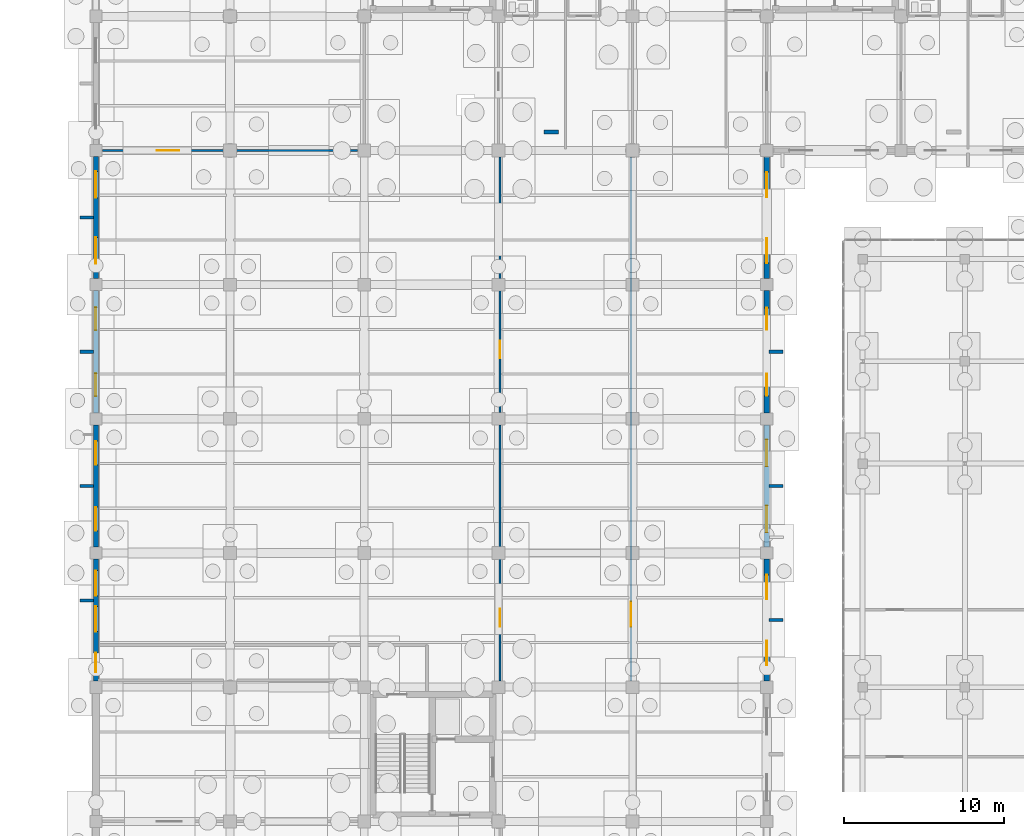
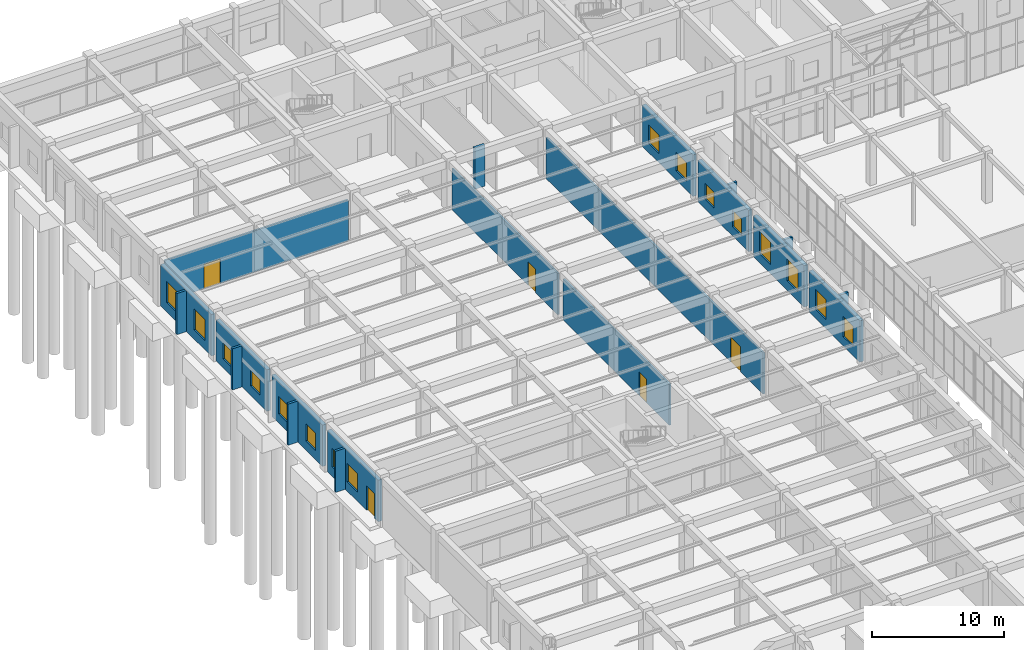
# One storey, part 160 of 192: 20 walls, 16 windows, 5 doors, 21 openings.
"""IFC4 building model written with IfcOpenShell, lengths in metres."""

import ifcopenshell
import ifcopenshell.guid

model = None  # the IFC model being written
_history = None  # IfcOwnerHistory: only IFC2X3 demands one
_inside = {}  # id of a spatial element -> (the spatial element, [elements in it])
_under = {}  # id of a project, library or spatial element -> (it, [spatial elements below it])
_declared = {}  # id of a project -> (the project, [libraries it declares])
_typed = {}  # id of a type object -> (the type object, [elements of that type])
_made_of = {}  # id of a material, layer set ... -> (it, [elements and type objects made of it])


def new_model(schema):
    """Start an empty IFC model of exactly this schema.

    Asked for "IFC4X3", IfcOpenShell would pick the latest addendum, in which some entities
    have other attributes; the version numbers below select the first issue.
    IFC2X3 requires an IfcOwnerHistory on every rooted entity: one is made here for all.
    """
    global model, _history
    if schema == "IFC4X3":
        model = ifcopenshell.file(schema_version=(4, 3, 0, 0))
    else:
        model = ifcopenshell.file(schema=schema)
    _inside.clear()
    _under.clear()
    _declared.clear()
    _typed.clear()
    _made_of.clear()
    _history = None
    if model.schema == "IFC2X3":
        org = make("IfcOrganization", Name="unknown")
        user = make(
            "IfcPersonAndOrganization",
            ThePerson=make("IfcPerson", FamilyName="unknown"),
            TheOrganization=org,
        )
        app = make(
            "IfcApplication",
            ApplicationDeveloper=org,
            Version="unknown",
            ApplicationFullName="unknown",
            ApplicationIdentifier="unknown",
        )
        _history = make(
            "IfcOwnerHistory",
            OwningUser=user,
            OwningApplication=app,
            ChangeAction="ADDED",
            CreationDate=0,
        )
    return model


def make(cls, **values):
    """One entity of the class cls with the attributes given. An attribute that is None is left unset."""
    return model.create_entity(
        cls, **{name: value for name, value in values.items() if value is not None}
    )


def rooted(cls, **values):
    """An entity with a GlobalId (a new one), such as an element, a storey or a relation."""
    return make(cls, GlobalId=ifcopenshell.guid.new(), OwnerHistory=_history, **values)


def si_unit(unit_type, name, prefix=None):
    """IfcSIUnit, for example si_unit("LENGTHUNIT", "METRE", prefix="MILLI")."""
    return make("IfcSIUnit", UnitType=unit_type, Prefix=prefix, Name=name)


def assignment(units):
    """IfcUnitAssignment: the units of a project."""
    return None if units is None else make("IfcUnitAssignment", Units=units)


def point(xyz):
    """IfcCartesianPoint."""
    return None if xyz is None else make("IfcCartesianPoint", Coordinates=xyz)


def direction(xyz):
    """IfcDirection."""
    return None if xyz is None else make("IfcDirection", DirectionRatios=xyz)


def frame(location, z_axis=None, x_axis=None):
    """IfcAxis2Placement3D, a coordinate frame: its origin and axes. An axis left out is left unset."""
    return make(
        "IfcAxis2Placement3D",
        Location=point(location),
        Axis=direction(z_axis),
        RefDirection=direction(x_axis),
    )


def frame_2d(location, x_axis=None):
    """IfcAxis2Placement2D, a coordinate frame in the plane: its origin and x axis."""
    return make(
        "IfcAxis2Placement2D", Location=point(location), RefDirection=direction(x_axis)
    )


def origin():
    """The frame at (0, 0, 0) with its axes left unset."""
    return frame((0.0, 0.0, 0.0))


def place(relative_to, where):
    """IfcLocalPlacement: puts the frame where relative to a parent placement (None: the world)."""
    return make(
        "IfcLocalPlacement", PlacementRelTo=relative_to, RelativePlacement=where
    )


def context(
    kind, dimensions, precision=None, world=None, true_north=None, identifier=None
):
    """IfcGeometricRepresentationContext, for example the 3D "Model" context."""
    return make(
        "IfcGeometricRepresentationContext",
        ContextIdentifier=identifier,
        ContextType=kind,
        CoordinateSpaceDimension=dimensions,
        Precision=precision,
        WorldCoordinateSystem=world,
        TrueNorth=true_north,
    )


def subcontext(parent, identifier, kind, view, scale=None):
    """IfcGeometricRepresentationSubContext, for example "Body" below "Model"."""
    return make(
        "IfcGeometricRepresentationSubContext",
        ContextIdentifier=identifier,
        ContextType=kind,
        ParentContext=parent,
        TargetScale=scale,
        TargetView=view,
    )


def project(units=None, contexts=None):
    """IfcProject with its units and contexts."""
    return rooted(
        "IfcProject",
        Name="project",
        RepresentationContexts=contexts,
        UnitsInContext=assignment(units),
    )


def spatial(cls, under=None, at=None, **own):
    """A site, building, storey or space (cls), placed at a placement, below another one or the project."""
    s = rooted(cls, ObjectPlacement=at, **own)
    if under is not None:
        _under.setdefault(under.id(), (under, []))[1].append(s)
    return s


def profile(cls, at=None, kind="AREA", **sizes):
    """A parametric profile (cls). Its sizes go by their IFC names, for example OverallWidth=200.0."""
    return make(cls, ProfileType=kind, Position=at, **sizes)


def rectangle(**sizes):
    """IfcRectangleProfileDef."""
    return profile("IfcRectangleProfileDef", **sizes)


def extrude(swept, where, along, depth):
    """IfcExtrudedAreaSolid: the profile swept, set in the frame where, extruded along a direction by depth."""
    return make(
        "IfcExtrudedAreaSolid",
        SweptArea=swept,
        Position=where,
        ExtrudedDirection=direction(along),
        Depth=depth,
    )


def shape(context_of_items, identifier, shape_type, items):
    """IfcShapeRepresentation: the items that make up one representation, for example the "Body"."""
    return make(
        "IfcShapeRepresentation",
        ContextOfItems=context_of_items,
        RepresentationIdentifier=identifier,
        RepresentationType=shape_type,
        Items=items,
    )


def material(Name=None, Category=None):
    """IfcMaterial."""
    return make("IfcMaterial", Name=Name, Category=Category)


def layer(
    of_material, thickness, ventilated=None, Name=None, Category=None, Priority=None
):
    """IfcMaterialLayer: one layer of a wall or slab, of a material (None: an air gap)."""
    return make(
        "IfcMaterialLayer",
        Material=of_material,
        LayerThickness=thickness,
        IsVentilated=ventilated,
        Name=Name,
        Category=Category,
        Priority=Priority,
    )


def layer_set(layers, Name=None):
    """IfcMaterialLayerSet."""
    return make("IfcMaterialLayerSet", MaterialLayers=layers, LayerSetName=Name)


def made_of(thing, what):
    """Note that an element or type object is made of a material, layer set ...; save() writes the relation."""
    if what is not None:
        _made_of.setdefault(what.id(), (what, []))[1].append(thing)
    return thing


def type_object(cls, material=None, **own):
    """A type object (cls), such as IfcWallType, which elements share."""
    return made_of(rooted(cls, **own), material)


def element(
    cls,
    number,
    at=None,
    inside=None,
    cuts=None,
    type_object=None,
    material=None,
    context=None,
    identifier="Body",
    shape_type=None,
    held_by="IfcProductDefinitionShape",
    body=None,
    shapes=None,
    **own,
):
    """One element of the class cls, such as IfcWall. Its Tag is "e" and its number.

    at: its placement. inside: the storey or other place that contains it. cuts: it is an
    opening in that element (IfcRelVoidsElement). A single representation is given by context,
    identifier, shape_type and body (its items); several are given by shapes. held_by: the class
    of the entity that holds the representations. save() writes the other relations.
    """
    e = rooted(cls, Tag="e%d" % number, ObjectPlacement=at, **own)
    if body is not None:
        shapes = [shape(context, identifier, shape_type, body)]
    if shapes is not None:
        e.Representation = make(held_by, Representations=shapes)
    if inside is not None:
        _inside.setdefault(inside.id(), (inside, []))[1].append(e)
    if cuts is not None:
        rooted(
            "IfcRelVoidsElement", RelatingBuildingElement=cuts, RelatedOpeningElement=e
        )
    if type_object is not None:
        _typed.setdefault(type_object.id(), (type_object, []))[1].append(e)
    return made_of(e, material)


def fill(opening, filler):
    """IfcRelFillsElement: the door or window that sits in an opening."""
    return rooted(
        "IfcRelFillsElement",
        RelatingOpeningElement=opening,
        RelatedBuildingElement=filler,
    )


def aggregate(whole, parts):
    """IfcRelAggregates: a whole, such as a stair, and the parts it consists of."""
    return rooted("IfcRelAggregates", RelatingObject=whole, RelatedObjects=parts)


def save(model, path):
    """Write the relations noted so far, then the file.

    IfcRelAggregates (storeys below a building ...), IfcRelContainedInSpatialStructure (elements
    in a storey), IfcRelDefinesByType, IfcRelAssociatesMaterial and IfcRelDeclares: one each for
    every whole, place, type object, material and project.
    """
    for whole, parts in _under.values():
        aggregate(whole, parts)
    for where, things in _inside.values():
        rooted(
            "IfcRelContainedInSpatialStructure",
            RelatedElements=things,
            RelatingStructure=where,
        )
    for kind, things in _typed.values():
        rooted("IfcRelDefinesByType", RelatedObjects=things, RelatingType=kind)
    for what, things in _made_of.values():
        rooted("IfcRelAssociatesMaterial", RelatedObjects=things, RelatingMaterial=what)
    for by, libraries in _declared.values():
        rooted("IfcRelDeclares", RelatingContext=by, RelatedDefinitions=libraries)
    model.write(path)


model = new_model("IFC4")

# Units and contexts
model_context = context("Model", 3, precision=1e-05, world=origin(), true_north=direction((0.0, 1.0)))
body_context = subcontext(model_context, "Body", "Model", "MODEL_VIEW")
ifc_project = project(units=[si_unit("LENGTHUNIT", "METRE"), si_unit("AREAUNIT", "SQUARE_METRE"), si_unit("VOLUMEUNIT", "CUBIC_METRE"), si_unit("PLANEANGLEUNIT", "RADIAN"), si_unit("MASSUNIT", "GRAM", prefix="KILO")], contexts=[model_context])

# Site, building, storey
site_placement = place(None, origin())
site = spatial("IfcSite", under=ifc_project, at=site_placement, CompositionType="ELEMENT")
building_placement = place(site_placement, origin())
building = spatial("IfcBuilding", under=site, at=building_placement, Name="Trelvath General Hospital", CompositionType="ELEMENT")
storey_placement = place(building_placement, origin())
storey = spatial("IfcBuildingStorey", under=building, at=storey_placement, Name="L00", CompositionType="ELEMENT", Elevation=0.0)

# Walls
ifc_material_1 = material(Name="Precast concrete C40/50", Category="concrete")
ifc_layer_1 = layer(ifc_material_1, 0.199951171875)
ifc_layer_set_1 = layer_set([ifc_layer_1], Name="Precast concrete C40/50")
wall_type_1 = type_object("IfcWallType", Name="BriseSoleilRib 200", PredefinedType="ELEMENTEDWALL", material=ifc_layer_set_1)
for number, where, z_axis, x_axis, name in (
    (1, (-0.14990234375, 64.22509765625, 0.0), (0.0, 0.0, 1.0), (-1.0, 0.0, 0.0), "Precast Concrete Brise-Soleil Rib Fin L00-5"),
    (2, (-0.14990234375, 71.39990234375, 0.0), (0.0, 0.0, 1.0), (-1.0, 0.0, 0.0), "Precast Concrete Brise-Soleil Rib Fin L00-6"),
    (3, (-0.14990234375, 79.800048828125, 0.0), (0.0, 0.0, 1.0), (-1.0, 0.0, 0.0), "Precast Concrete Brise-Soleil Rib Fin L00-7"),
    (4, (-0.14990234375, 88.199951171875, 0.0), (0.0, 0.0, 1.0), (-1.0, 0.0, 0.0), "Precast Concrete Brise-Soleil Rib Fin L00-8"),
    (5, (42.14990234375, 63.0, 0.0), (0.0, 0.0, 1.0), (1.0, 0.0, 0.0), "Precast Concrete Brise-Soleil Rib Fin L00-18"),
    (6, (42.14990234375, 71.39990234375, 0.0), (0.0, 0.0, 1.0), (1.0, 0.0, 0.0), "Precast Concrete Brise-Soleil Rib Fin L00-19"),
    (7, (42.14990234375, 79.800048828125, 0.0), (0.0, 0.0, 1.0), (1.0, 0.0, 0.0), "Precast Concrete Brise-Soleil Rib Fin L00-20"),
):
    element("IfcWall", number, at=place(storey_placement, frame(where, z_axis=z_axis, x_axis=x_axis)), inside=storey, type_object=wall_type_1, Name=name, PredefinedType="ELEMENTEDWALL", context=body_context, shape_type="SweptSolid", body=[
        extrude(rectangle(XDim=0.85009765625, YDim=0.199951171875, at=frame_2d((0.425048828125, 0.0))), origin(), (0.0, 0.0, 1.0), 3.800048828125),
    ])

# Wall, opening, door
ifc_material_2 = material(Name="Gypsum acoustic steel-stud partition", Category="steel")
ifc_layer_2 = layer(ifc_material_2, 0.14990234375)
ifc_layer_set_2 = layer_set([ifc_layer_2], Name="Gypsum acoustic steel-stud partition")
wall_type_2 = type_object("IfcWallType", Name="ClinicalPartition 150", PredefinedType="PARTITIONING", material=ifc_layer_set_2)
wall_1_placement = place(storey_placement, frame((25.300048828125, 59.199951171875, 0.0), z_axis=(0.0, 0.0, 1.0), x_axis=(0.0, 1.0, 0.0)))
wall_1 = element("IfcWall", 8, at=wall_1_placement, inside=storey, type_object=wall_type_2, Name="Urgent Lab Partition L00-323", PredefinedType="PARTITIONING", context=body_context, shape_type="SweptSolid", body=[
    extrude(rectangle(XDim=16.0, YDim=0.14990234375, at=frame_2d((8.0, 0.0))), origin(), (0.0, 0.0, 1.0), 3.800048828125),
])
opening_1_placement = place(wall_1_placement, frame((3.39990234375, 0.0, 0.0)))
opening_1 = element("IfcOpeningElement", 9, at=opening_1_placement, cuts=wall_1, Name="Opening D-0-0442", PredefinedType="OPENING", context=body_context, shape_type="SweptSolid", body=[
    extrude(rectangle(XDim=1.10009765625, YDim=2.199951171875, at=frame_2d((0.550048828125, 1.10009765625))), frame((0.0, 0.0849609375, 0.0), z_axis=(0.0, -1.0, 0.0), x_axis=(1.0, 0.0, 0.0)), (0.0, 0.0, 1.0), 0.169921875),
])
ifc_material_3 = material(Name="Phenolic laboratory door")
door_type_1 = type_object("IfcDoorType", Name="Door Lab 1100x2200", OperationType="NOTDEFINED", PredefinedType="DOOR", material=ifc_material_3)
door_1_placement = place(opening_1_placement, origin())
door_1 = element("IfcDoor", 10, at=door_1_placement, inside=storey, type_object=door_type_1, Name="Urgent Lab Door L00-442", OperationType="SINGLE_SWING_RIGHT", OverallHeight=2.199951171875, OverallWidth=1.10009765625, PredefinedType="DOOR", context=body_context, shape_type="SweptSolid", body=[
    extrude(rectangle(XDim=1.10009765625, YDim=2.199951171875, at=frame_2d((0.550048828125, 1.10009765625))), frame((0.0, 0.02490234375, 0.0), z_axis=(0.0, -1.0, 0.0), x_axis=(1.0, 0.0, 0.0)), (0.0, 0.0, 1.0), 0.050048828125),
])
fill(opening_1, door_1)

wall_2_placement = place(storey_placement, frame((25.300048828125, 76.0, 0.0), z_axis=(0.0, 0.0, 1.0), x_axis=(0.0, 1.0, 0.0)))
wall_2 = element("IfcWall", 11, at=wall_2_placement, inside=storey, type_object=wall_type_2, Name="Sterile Wash Partition L00-324", PredefinedType="PARTITIONING", context=body_context, shape_type="SweptSolid", body=[
    extrude(rectangle(XDim=16.0, YDim=0.14990234375, at=frame_2d((8.0, 0.0))), origin(), (0.0, 0.0, 1.0), 3.800048828125),
])
opening_2_placement = place(wall_2_placement, frame((3.39990234375, 0.0, 0.0)))
opening_2 = element("IfcOpeningElement", 12, at=opening_2_placement, cuts=wall_2, Name="Opening D-0-0443", PredefinedType="OPENING", context=body_context, shape_type="SweptSolid", body=[
    extrude(rectangle(XDim=1.080078125, YDim=2.14990234375, at=frame_2d((0.5400390625, 1.074951171875))), frame((0.0, 0.0849609375, 0.0), z_axis=(0.0, -1.0, 0.0), x_axis=(1.0, 0.0, 0.0)), (0.0, 0.0, 1.0), 0.169921875),
])
ifc_material_4 = material(Name="Acoustic hospital timber leaf", Category="wood")
door_type_2 = type_object("IfcDoorType", Name="Door CleanSupply 1080x2150", OperationType="NOTDEFINED", PredefinedType="DOOR", material=ifc_material_4)
door_2_placement = place(opening_2_placement, origin())
door_2 = element("IfcDoor", 13, at=door_2_placement, inside=storey, type_object=door_type_2, Name="Sterile Wash Door L00-443", OperationType="SINGLE_SWING_LEFT", OverallHeight=2.14990234375, OverallWidth=1.080078125, PredefinedType="DOOR", context=body_context, shape_type="SweptSolid", body=[
    extrude(rectangle(XDim=1.080078125, YDim=2.14990234375, at=frame_2d((0.5400390625, 1.074951171875))), frame((0.0, 0.02490234375, 0.0), z_axis=(0.0, -1.0, 0.0), x_axis=(1.0, 0.0, 0.0)), (0.0, 0.0, 1.0), 0.050048828125),
])
fill(opening_2, door_2)

wall_3_placement = place(storey_placement, frame((0.419921875, 92.39990234375, 0.0), z_axis=(0.0, 0.0, 1.0), x_axis=(1.0, 0.0, 0.0)))
wall_3 = element("IfcWall", 14, at=wall_3_placement, inside=storey, type_object=wall_type_2, Name="Sterile Dispatch Partition L00-325", PredefinedType="PARTITIONING", context=body_context, shape_type="SweptSolid", body=[
    extrude(rectangle(XDim=15.9599609375, YDim=0.14990234375, at=frame_2d((7.97998046875, 0.0))), origin(), (0.0, 0.0, 1.0), 3.800048828125),
])
opening_3_placement = place(wall_3_placement, frame((3.39990234375, 0.0, 0.0)))
opening_3 = element("IfcOpeningElement", 15, at=opening_3_placement, cuts=wall_3, Name="Opening D-0-0444", PredefinedType="OPENING", context=body_context, shape_type="SweptSolid", body=[
    extrude(rectangle(XDim=1.39990234375, YDim=2.25, at=frame_2d((0.699951171875, 1.125))), frame((0.0, 0.0849609375, 0.0), z_axis=(0.0, -1.0, 0.0), x_axis=(1.0, 0.0, 0.0)), (0.0, 0.0, 1.0), 0.169921875),
])
ifc_material_5 = material(Name="Fire-rated steel plant pair", Category="steel")
door_type_3 = type_object("IfcDoorType", Name="Door Plant 1400x2250", OperationType="DOUBLE_SWING_LEFT", PredefinedType="DOOR", material=ifc_material_5)
door_3_placement = place(opening_3_placement, origin())
door_3 = element("IfcDoor", 16, at=door_3_placement, inside=storey, type_object=door_type_3, Name="Sterile Dispatch Door L00-444", OperationType="DOUBLE_SWING_LEFT", OverallHeight=2.25, OverallWidth=1.39990234375, PredefinedType="DOOR", context=body_context, shape_type="SweptSolid", body=[
    extrude(rectangle(XDim=1.39990234375, YDim=2.25, at=frame_2d((0.699951171875, 1.125))), frame((0.0, 0.02490234375, 0.0), z_axis=(0.0, -1.0, 0.0), x_axis=(1.0, 0.0, 0.0)), (0.0, 0.0, 1.0), 0.050048828125),
])
fill(opening_3, door_3)

wall_4_placement = place(storey_placement, frame((33.5, 59.199951171875, 0.0), z_axis=(0.0, 0.0, 1.0), x_axis=(0.0, 1.0, 0.0)))
wall_4 = element("IfcWall", 17, at=wall_4_placement, inside=storey, type_object=wall_type_2, Name="Nuclear Med Partition L00-327", PredefinedType="PARTITIONING", context=body_context, shape_type="SweptSolid", body=[
    extrude(rectangle(XDim=32.800048828125, YDim=0.14990234375, at=frame_2d((16.39990234375, 0.0))), origin(), (0.0, 0.0, 1.0), 3.800048828125),
])
opening_4_placement = place(wall_4_placement, frame((3.39990234375, 0.0, 0.0)))
opening_4 = element("IfcOpeningElement", 18, at=opening_4_placement, cuts=wall_4, Name="Opening D-0-0446", PredefinedType="OPENING", context=body_context, shape_type="SweptSolid", body=[
    extrude(rectangle(XDim=1.550048828125, YDim=2.300048828125, at=frame_2d((0.77490234375, 1.14990234375))), frame((0.0, 0.0849609375, 0.0), z_axis=(0.0, -1.0, 0.0), x_axis=(1.0, 0.0, 0.0)), (0.0, 0.0, 1.0), 0.169921875),
])
ifc_material_6 = material(Name="Lead-lined radiation-shielded door")
door_type_4 = type_object("IfcDoorType", Name="Door Imaging 1550x2300", OperationType="DOUBLE_SWING_LEFT", PredefinedType="DOOR", material=ifc_material_6)
door_4_placement = place(opening_4_placement, origin())
door_4 = element("IfcDoor", 19, at=door_4_placement, inside=storey, type_object=door_type_4, Name="Nuclear Med Door L00-446", OperationType="DOUBLE_SWING_LEFT", OverallHeight=2.300048828125, OverallWidth=1.550048828125, PredefinedType="DOOR", context=body_context, shape_type="SweptSolid", body=[
    extrude(rectangle(XDim=1.550048828125, YDim=2.300048828125, at=frame_2d((0.77490234375, 1.14990234375))), frame((0.0, 0.02490234375, 0.0), z_axis=(0.0, -1.0, 0.0), x_axis=(1.0, 0.0, 0.0)), (0.0, 0.0, 1.0), 0.050048828125),
])
fill(opening_4, door_4)

# Wall, openings, door, windows
ifc_material_7 = material(Name="Concrete C35/45", Category="concrete")
ifc_layer_3 = layer(ifc_material_7, 0.320068359375)
ifc_layer_set_3 = layer_set([ifc_layer_3], Name="Concrete C35/45")
wall_type_3 = type_object("IfcWallType", Name="ExtThermalWall 320", PredefinedType="SOLIDWALL", material=ifc_layer_set_3)
wall_5_placement = place(storey_placement, frame((0.0, 59.175048828125, 0.0), z_axis=(0.0, 0.0, 1.0), x_axis=(0.0, 1.0, 0.0)))
wall_5 = element("IfcWall", 20, at=wall_5_placement, inside=storey, type_object=wall_type_3, Name="Exterior Concrete Wall L00-9", PredefinedType="SOLIDWALL", context=body_context, shape_type="SweptSolid", body=[
    extrude(rectangle(XDim=7.64990234375, YDim=0.320068359375, at=frame_2d((3.824951171875, 0.0))), origin(), (0.0, 0.0, 1.0), 3.820068359375),
])
opening_5_placement = place(wall_5_placement, frame((0.574951171875, 0.0, 0.0)))
opening_5 = element("IfcOpeningElement", 21, at=opening_5_placement, cuts=wall_5, Name="Opening E-ST8", PredefinedType="OPENING", context=body_context, shape_type="SweptSolid", body=[
    extrude(rectangle(XDim=1.199951171875, YDim=2.25, at=frame_2d((0.60009765625, 1.125))), frame((0.0, 0.169921875, 0.0), z_axis=(0.0, -1.0, 0.0), x_axis=(1.0, 0.0, 0.0)), (0.0, 0.0, 1.0), 0.340087890625),
])
opening_6_placement = place(wall_5_placement, frame((3.10009765625, 0.0, 0.85009765625)))
opening_6 = element("IfcOpeningElement", 22, at=opening_6_placement, cuts=wall_5, Name="Opening WN-0-009", PredefinedType="OPENING", context=body_context, shape_type="SweptSolid", body=[
    extrude(rectangle(XDim=1.580078125, YDim=1.699951171875, at=frame_2d((0.7900390625, 0.85009765625))), frame((0.0, 0.169921875, 0.0), z_axis=(0.0, -1.0, 0.0), x_axis=(1.0, 0.0, 0.0)), (0.0, 0.0, 1.0), 0.340087890625),
])
opening_7_placement = place(wall_5_placement, frame((5.35009765625, 0.0, 0.85009765625)))
opening_7 = element("IfcOpeningElement", 23, at=opening_7_placement, cuts=wall_5, Name="Opening WN-0-010", PredefinedType="OPENING", context=body_context, shape_type="SweptSolid", body=[
    extrude(rectangle(XDim=1.580078125, YDim=1.699951171875, at=frame_2d((0.7900390625, 0.85009765625))), frame((0.0, 0.169921875, 0.0), z_axis=(0.0, -1.0, 0.0), x_axis=(1.0, 0.0, 0.0)), (0.0, 0.0, 1.0), 0.340087890625),
])
ifc_material_8 = material(Name="Thermally broken glazed aluminium door", Category="aluminium")
door_type_5 = type_object("IfcDoorType", Name="Door Terrace 1200x2250", OperationType="NOTDEFINED", PredefinedType="DOOR", material=ifc_material_8)
door_5_placement = place(opening_5_placement, origin())
door_5 = element("IfcDoor", 24, at=door_5_placement, inside=storey, type_object=door_type_5, Name="Pedestrian Final Exit Discharge Door E-ST8", OperationType="SINGLE_SWING_LEFT", OverallHeight=2.25, OverallWidth=1.199951171875, PredefinedType="DOOR", context=body_context, shape_type="SweptSolid", body=[
    extrude(rectangle(XDim=1.199951171875, YDim=2.25, at=frame_2d((0.60009765625, 1.125))), frame((0.0, 0.02490234375, 0.0), z_axis=(0.0, -1.0, 0.0), x_axis=(1.0, 0.0, 0.0)), (0.0, 0.0, 1.0), 0.050048828125),
])
fill(opening_5, door_5)
ifc_material_9 = material(Name="Low-E laminated glass", Category="glass")
window_type_1 = type_object("IfcWindowType", Name="Window Recovery 1580x1700", PartitioningType="DOUBLE_PANEL_VERTICAL", PredefinedType="WINDOW", material=ifc_material_9)
window_1_placement = place(opening_6_placement, origin())
window_1 = element("IfcWindow", 25, at=window_1_placement, inside=storey, type_object=window_type_1, Name="Solar Reveal Window L00-9", OverallHeight=1.699951171875, OverallWidth=1.580078125, PartitioningType="SINGLE_PANEL", PredefinedType="WINDOW", context=body_context, shape_type="SweptSolid", body=[
    extrude(rectangle(XDim=1.580078125, YDim=1.699951171875, at=frame_2d((0.7900390625, 0.85009765625))), frame((0.0, 0.030029296875, 0.0), z_axis=(0.0, -1.0, 0.0), x_axis=(1.0, 0.0, 0.0)), (0.0, 0.0, 1.0), 0.06005859375),
])
fill(opening_6, window_1)
window_2_placement = place(opening_7_placement, origin())
window_2 = element("IfcWindow", 26, at=window_2_placement, inside=storey, type_object=window_type_1, Name="Solar Reveal Window L00-10", OverallHeight=1.699951171875, OverallWidth=1.580078125, PartitioningType="SINGLE_PANEL", PredefinedType="WINDOW", context=body_context, shape_type="SweptSolid", body=[
    extrude(rectangle(XDim=1.580078125, YDim=1.699951171875, at=frame_2d((0.7900390625, 0.85009765625))), frame((0.0, 0.030029296875, 0.0), z_axis=(0.0, -1.0, 0.0), x_axis=(1.0, 0.0, 0.0)), (0.0, 0.0, 1.0), 0.06005859375),
])
fill(opening_7, window_2)

# Wall, openings, windows
wall_6_placement = place(storey_placement, frame((0.0, 67.574951171875, 0.0), z_axis=(0.0, 0.0, 1.0), x_axis=(0.0, 1.0, 0.0)))
wall_6 = element("IfcWall", 27, at=wall_6_placement, inside=storey, type_object=wall_type_3, Name="Exterior Concrete Wall L00-10", PredefinedType="SOLIDWALL", context=body_context, shape_type="SweptSolid", body=[
    extrude(rectangle(XDim=7.650146484375, YDim=0.320068359375, at=frame_2d((3.8251953125, 0.0))), origin(), (0.0, 0.0, 1.0), 3.820068359375),
])
opening_8_placement = place(wall_6_placement, frame((1.01953125, 0.0, 0.85009765625)))
opening_8 = element("IfcOpeningElement", 28, at=opening_8_placement, cuts=wall_6, Name="Opening WN-0-011", PredefinedType="OPENING", context=body_context, shape_type="SweptSolid", body=[
    extrude(rectangle(XDim=1.47998046875, YDim=1.60009765625, at=frame_2d((0.739990234375, 0.800048828125))), frame((0.0, 0.169921875, 0.0), z_axis=(0.0, -1.0, 0.0), x_axis=(1.0, 0.0, 0.0)), (0.0, 0.0, 1.0), 0.340087890625),
])
opening_9_placement = place(wall_6_placement, frame((5.150390625, 0.0, 0.85009765625)))
opening_9 = element("IfcOpeningElement", 29, at=opening_9_placement, cuts=wall_6, Name="Opening WN-0-012", PredefinedType="OPENING", context=body_context, shape_type="SweptSolid", body=[
    extrude(rectangle(XDim=1.47998046875, YDim=1.60009765625, at=frame_2d((0.739990234375, 0.800048828125))), frame((0.0, 0.169921875, 0.0), z_axis=(0.0, -1.0, 0.0), x_axis=(1.0, 0.0, 0.0)), (0.0, 0.0, 1.0), 0.340087890625),
])
ifc_material_10 = material(Name="Low-E laminated glass", Category="glass")
window_type_2 = type_object("IfcWindowType", Name="Window Clinic 1480x1600", PartitioningType="DOUBLE_PANEL_VERTICAL", PredefinedType="WINDOW", material=ifc_material_10)
window_3_placement = place(opening_8_placement, origin())
window_3 = element("IfcWindow", 30, at=window_3_placement, inside=storey, type_object=window_type_2, Name="Solar Reveal Window L00-11", OverallHeight=1.60009765625, OverallWidth=1.47998046875, PartitioningType="SINGLE_PANEL", PredefinedType="WINDOW", context=body_context, shape_type="SweptSolid", body=[
    extrude(rectangle(XDim=1.47998046875, YDim=1.60009765625, at=frame_2d((0.739990234375, 0.800048828125))), frame((0.0, 0.030029296875, 0.0), z_axis=(0.0, -1.0, 0.0), x_axis=(1.0, 0.0, 0.0)), (0.0, 0.0, 1.0), 0.06005859375),
])
fill(opening_8, window_3)
window_4_placement = place(opening_9_placement, origin())
window_4 = element("IfcWindow", 31, at=window_4_placement, inside=storey, type_object=window_type_2, Name="Solar Reveal Window L00-12", OverallHeight=1.60009765625, OverallWidth=1.47998046875, PartitioningType="SINGLE_PANEL", PredefinedType="WINDOW", context=body_context, shape_type="SweptSolid", body=[
    extrude(rectangle(XDim=1.47998046875, YDim=1.60009765625, at=frame_2d((0.739990234375, 0.800048828125))), frame((0.0, 0.030029296875, 0.0), z_axis=(0.0, -1.0, 0.0), x_axis=(1.0, 0.0, 0.0)), (0.0, 0.0, 1.0), 0.06005859375),
])
fill(opening_9, window_4)

wall_7_placement = place(storey_placement, frame((0.0, 75.97509765625, 0.0), z_axis=(0.0, 0.0, 1.0), x_axis=(0.0, 1.0, 0.0)))
wall_7 = element("IfcWall", 32, at=wall_7_placement, inside=storey, type_object=wall_type_3, Name="Exterior Concrete Wall L00-11", PredefinedType="SOLIDWALL", context=body_context, shape_type="SweptSolid", body=[
    extrude(rectangle(XDim=7.64990234375, YDim=0.320068359375, at=frame_2d((3.824951171875, 0.0))), origin(), (0.0, 0.0, 1.0), 3.820068359375),
])
opening_10_placement = place(wall_7_placement, frame((1.049560546875, 0.0, 0.85009765625)))
opening_10 = element("IfcOpeningElement", 33, at=opening_10_placement, cuts=wall_7, Name="Opening WN-0-013", PredefinedType="OPENING", context=body_context, shape_type="SweptSolid", body=[
    extrude(rectangle(XDim=1.419921875, YDim=1.449951171875, at=frame_2d((0.7099609375, 0.72509765625))), frame((0.0, 0.169921875, 0.0), z_axis=(0.0, -1.0, 0.0), x_axis=(1.0, 0.0, 0.0)), (0.0, 0.0, 1.0), 0.340087890625),
])
opening_11_placement = place(wall_7_placement, frame((5.180419921875, 0.0, 0.85009765625)))
opening_11 = element("IfcOpeningElement", 34, at=opening_11_placement, cuts=wall_7, Name="Opening WN-0-014", PredefinedType="OPENING", context=body_context, shape_type="SweptSolid", body=[
    extrude(rectangle(XDim=1.419921875, YDim=1.449951171875, at=frame_2d((0.7099609375, 0.72509765625))), frame((0.0, 0.169921875, 0.0), z_axis=(0.0, -1.0, 0.0), x_axis=(1.0, 0.0, 0.0)), (0.0, 0.0, 1.0), 0.340087890625),
])
ifc_material_11 = material(Name="Low-E laminated glass", Category="glass")
window_type_3 = type_object("IfcWindowType", Name="Window Lab 1420x1450", PartitioningType="DOUBLE_PANEL_VERTICAL", PredefinedType="WINDOW", material=ifc_material_11)
window_5_placement = place(opening_10_placement, origin())
window_5 = element("IfcWindow", 35, at=window_5_placement, inside=storey, type_object=window_type_3, Name="Solar Reveal Window L00-13", OverallHeight=1.449951171875, OverallWidth=1.419921875, PartitioningType="SINGLE_PANEL", PredefinedType="WINDOW", context=body_context, shape_type="SweptSolid", body=[
    extrude(rectangle(XDim=1.419921875, YDim=1.449951171875, at=frame_2d((0.7099609375, 0.72509765625))), frame((0.0, 0.030029296875, 0.0), z_axis=(0.0, -1.0, 0.0), x_axis=(1.0, 0.0, 0.0)), (0.0, 0.0, 1.0), 0.06005859375),
])
fill(opening_10, window_5)
window_6_placement = place(opening_11_placement, origin())
window_6 = element("IfcWindow", 36, at=window_6_placement, inside=storey, type_object=window_type_3, Name="Solar Reveal Window L00-14", OverallHeight=1.449951171875, OverallWidth=1.419921875, PartitioningType="SINGLE_PANEL", PredefinedType="WINDOW", context=body_context, shape_type="SweptSolid", body=[
    extrude(rectangle(XDim=1.419921875, YDim=1.449951171875, at=frame_2d((0.7099609375, 0.72509765625))), frame((0.0, 0.030029296875, 0.0), z_axis=(0.0, -1.0, 0.0), x_axis=(1.0, 0.0, 0.0)), (0.0, 0.0, 1.0), 0.06005859375),
])
fill(opening_11, window_6)

wall_8_placement = place(storey_placement, frame((0.0, 84.375, 0.0), z_axis=(0.0, 0.0, 1.0), x_axis=(0.0, 1.0, 0.0)))
wall_8 = element("IfcWall", 37, at=wall_8_placement, inside=storey, type_object=wall_type_3, Name="Exterior Concrete Wall L00-12", PredefinedType="SOLIDWALL", context=body_context, shape_type="SweptSolid", body=[
    extrude(rectangle(XDim=7.64990234375, YDim=0.320068359375, at=frame_2d((3.824951171875, 0.0))), origin(), (0.0, 0.0, 1.0), 3.820068359375),
])
opening_12_placement = place(wall_8_placement, frame((0.929443359375, 0.0, 0.85009765625)))
opening_12 = element("IfcOpeningElement", 38, at=opening_12_placement, cuts=wall_8, Name="Opening WN-0-015", PredefinedType="OPENING", context=body_context, shape_type="SweptSolid", body=[
    extrude(rectangle(XDim=1.659912109375, YDim=1.949951171875, at=frame_2d((0.830078125, 0.97509765625))), frame((0.0, 0.169921875, 0.0), z_axis=(0.0, -1.0, 0.0), x_axis=(1.0, 0.0, 0.0)), (0.0, 0.0, 1.0), 0.340087890625),
])
opening_13_placement = place(wall_8_placement, frame((5.060546875, 0.0, 0.85009765625)))
opening_13 = element("IfcOpeningElement", 39, at=opening_13_placement, cuts=wall_8, Name="Opening WN-0-016", PredefinedType="OPENING", context=body_context, shape_type="SweptSolid", body=[
    extrude(rectangle(XDim=1.659912109375, YDim=1.949951171875, at=frame_2d((0.830078125, 0.97509765625))), frame((0.0, 0.169921875, 0.0), z_axis=(0.0, -1.0, 0.0), x_axis=(1.0, 0.0, 0.0)), (0.0, 0.0, 1.0), 0.340087890625),
])
ifc_material_12 = material(Name="Low-E laminated glass", Category="glass")
window_type_4 = type_object("IfcWindowType", Name="Window Dayroom 1660x1950", PartitioningType="DOUBLE_PANEL_VERTICAL", PredefinedType="WINDOW", material=ifc_material_12)
window_7_placement = place(opening_12_placement, origin())
window_7 = element("IfcWindow", 40, at=window_7_placement, inside=storey, type_object=window_type_4, Name="Solar Reveal Window L00-15", OverallHeight=1.949951171875, OverallWidth=1.659912109375, PartitioningType="SINGLE_PANEL", PredefinedType="WINDOW", context=body_context, shape_type="SweptSolid", body=[
    extrude(rectangle(XDim=1.659912109375, YDim=1.949951171875, at=frame_2d((0.830078125, 0.97509765625))), frame((0.0, 0.030029296875, 0.0), z_axis=(0.0, -1.0, 0.0), x_axis=(1.0, 0.0, 0.0)), (0.0, 0.0, 1.0), 0.06005859375),
])
fill(opening_12, window_7)
window_8_placement = place(opening_13_placement, origin())
window_8 = element("IfcWindow", 41, at=window_8_placement, inside=storey, type_object=window_type_4, Name="Solar Reveal Window L00-16", OverallHeight=1.949951171875, OverallWidth=1.659912109375, PartitioningType="SINGLE_PANEL", PredefinedType="WINDOW", context=body_context, shape_type="SweptSolid", body=[
    extrude(rectangle(XDim=1.659912109375, YDim=1.949951171875, at=frame_2d((0.830078125, 0.97509765625))), frame((0.0, 0.030029296875, 0.0), z_axis=(0.0, -1.0, 0.0), x_axis=(1.0, 0.0, 0.0)), (0.0, 0.0, 1.0), 0.06005859375),
])
fill(opening_13, window_8)

wall_9_placement = place(storey_placement, frame((42.0, 66.824951171875, 0.0), z_axis=(0.0, 0.0, 1.0), x_axis=(0.0, -1.0, 0.0)))
wall_9 = element("IfcWall", 42, at=wall_9_placement, inside=storey, type_object=wall_type_3, Name="Exterior Concrete Wall L00-28", PredefinedType="SOLIDWALL", context=body_context, shape_type="SweptSolid", body=[
    extrude(rectangle(XDim=7.64990234375, YDim=0.320068359375, at=frame_2d((3.824951171875, 0.0))), origin(), (0.0, 0.0, 1.0), 3.820068359375),
])
opening_14_placement = place(wall_9_placement, frame((0.989501953125, 0.0, 0.85009765625)))
opening_14 = element("IfcOpeningElement", 43, at=opening_14_placement, cuts=wall_9, Name="Opening WN-0-037", PredefinedType="OPENING", context=body_context, shape_type="SweptSolid", body=[
    extrude(rectangle(XDim=1.5400390625, YDim=1.85009765625, at=frame_2d((0.77001953125, 0.925048828125))), frame((0.0, 0.169921875, 0.0), z_axis=(0.0, -1.0, 0.0), x_axis=(1.0, 0.0, 0.0)), (0.0, 0.0, 1.0), 0.340087890625),
])
opening_15_placement = place(wall_9_placement, frame((5.12060546875, 0.0, 0.85009765625)))
opening_15 = element("IfcOpeningElement", 44, at=opening_15_placement, cuts=wall_9, Name="Opening WN-0-038", PredefinedType="OPENING", context=body_context, shape_type="SweptSolid", body=[
    extrude(rectangle(XDim=1.5400390625, YDim=1.85009765625, at=frame_2d((0.77001953125, 0.925048828125))), frame((0.0, 0.169921875, 0.0), z_axis=(0.0, -1.0, 0.0), x_axis=(1.0, 0.0, 0.0)), (0.0, 0.0, 1.0), 0.340087890625),
])
ifc_material_13 = material(Name="Low-E laminated glass", Category="glass")
window_type_5 = type_object("IfcWindowType", Name="Window Waiting 1540x1850", PartitioningType="DOUBLE_PANEL_VERTICAL", PredefinedType="WINDOW", material=ifc_material_13)
window_9_placement = place(opening_14_placement, origin())
window_9 = element("IfcWindow", 45, at=window_9_placement, inside=storey, type_object=window_type_5, Name="Solar Reveal Window L00-37", OverallHeight=1.85009765625, OverallWidth=1.5400390625, PartitioningType="SINGLE_PANEL", PredefinedType="WINDOW", context=body_context, shape_type="SweptSolid", body=[
    extrude(rectangle(XDim=1.5400390625, YDim=1.85009765625, at=frame_2d((0.77001953125, 0.925048828125))), frame((0.0, 0.030029296875, 0.0), z_axis=(0.0, -1.0, 0.0), x_axis=(1.0, 0.0, 0.0)), (0.0, 0.0, 1.0), 0.06005859375),
])
fill(opening_14, window_9)
window_10_placement = place(opening_15_placement, origin())
window_10 = element("IfcWindow", 46, at=window_10_placement, inside=storey, type_object=window_type_5, Name="Solar Reveal Window L00-38", OverallHeight=1.85009765625, OverallWidth=1.5400390625, PartitioningType="SINGLE_PANEL", PredefinedType="WINDOW", context=body_context, shape_type="SweptSolid", body=[
    extrude(rectangle(XDim=1.5400390625, YDim=1.85009765625, at=frame_2d((0.77001953125, 0.925048828125))), frame((0.0, 0.030029296875, 0.0), z_axis=(0.0, -1.0, 0.0), x_axis=(1.0, 0.0, 0.0)), (0.0, 0.0, 1.0), 0.06005859375),
])
fill(opening_15, window_10)

wall_10_placement = place(storey_placement, frame((42.0, 75.22509765625, 0.0), z_axis=(0.0, 0.0, 1.0), x_axis=(0.0, -1.0, 0.0)))
wall_10 = element("IfcWall", 47, at=wall_10_placement, inside=storey, type_object=wall_type_3, Name="Exterior Concrete Wall L00-29", PredefinedType="SOLIDWALL", context=body_context, shape_type="SweptSolid", body=[
    extrude(rectangle(XDim=7.650146484375, YDim=0.320068359375, at=frame_2d((3.8251953125, 0.0))), origin(), (0.0, 0.0, 1.0), 3.820068359375),
])
opening_16_placement = place(wall_10_placement, frame((0.91943359375, 0.0, 0.85009765625)))
opening_16 = element("IfcOpeningElement", 48, at=opening_16_placement, cuts=wall_10, Name="Opening WN-0-039", PredefinedType="OPENING", context=body_context, shape_type="SweptSolid", body=[
    extrude(rectangle(XDim=1.679931640625, YDim=2.050048828125, at=frame_2d((0.83984375, 1.02490234375))), frame((0.0, 0.169921875, 0.0), z_axis=(0.0, -1.0, 0.0), x_axis=(1.0, 0.0, 0.0)), (0.0, 0.0, 1.0), 0.340087890625),
])
opening_17_placement = place(wall_10_placement, frame((5.050537109375, 0.0, 0.85009765625)))
opening_17 = element("IfcOpeningElement", 49, at=opening_17_placement, cuts=wall_10, Name="Opening WN-0-040", PredefinedType="OPENING", context=body_context, shape_type="SweptSolid", body=[
    extrude(rectangle(XDim=1.679931640625, YDim=2.050048828125, at=frame_2d((0.83984375, 1.02490234375))), frame((0.0, 0.169921875, 0.0), z_axis=(0.0, -1.0, 0.0), x_axis=(1.0, 0.0, 0.0)), (0.0, 0.0, 1.0), 0.340087890625),
])
ifc_material_14 = material(Name="Low-E laminated glass", Category="glass")
window_type_6 = type_object("IfcWindowType", Name="Window Cafe 1680x2050", PartitioningType="DOUBLE_PANEL_VERTICAL", PredefinedType="WINDOW", material=ifc_material_14)
window_11_placement = place(opening_16_placement, origin())
window_11 = element("IfcWindow", 50, at=window_11_placement, inside=storey, type_object=window_type_6, Name="Solar Reveal Window L00-39", OverallHeight=2.050048828125, OverallWidth=1.679931640625, PartitioningType="SINGLE_PANEL", PredefinedType="WINDOW", context=body_context, shape_type="SweptSolid", body=[
    extrude(rectangle(XDim=1.679931640625, YDim=2.050048828125, at=frame_2d((0.83984375, 1.02490234375))), frame((0.0, 0.030029296875, 0.0), z_axis=(0.0, -1.0, 0.0), x_axis=(1.0, 0.0, 0.0)), (0.0, 0.0, 1.0), 0.06005859375),
])
fill(opening_16, window_11)
window_12_placement = place(opening_17_placement, origin())
window_12 = element("IfcWindow", 51, at=window_12_placement, inside=storey, type_object=window_type_6, Name="Solar Reveal Window L00-40", OverallHeight=2.050048828125, OverallWidth=1.679931640625, PartitioningType="SINGLE_PANEL", PredefinedType="WINDOW", context=body_context, shape_type="SweptSolid", body=[
    extrude(rectangle(XDim=1.679931640625, YDim=2.050048828125, at=frame_2d((0.83984375, 1.02490234375))), frame((0.0, 0.030029296875, 0.0), z_axis=(0.0, -1.0, 0.0), x_axis=(1.0, 0.0, 0.0)), (0.0, 0.0, 1.0), 0.06005859375),
])
fill(opening_17, window_12)

wall_11_placement = place(storey_placement, frame((42.0, 83.625, 0.0), z_axis=(0.0, 0.0, 1.0), x_axis=(0.0, -1.0, 0.0)))
wall_11 = element("IfcWall", 52, at=wall_11_placement, inside=storey, type_object=wall_type_3, Name="Exterior Concrete Wall L00-30", PredefinedType="SOLIDWALL", context=body_context, shape_type="SweptSolid", body=[
    extrude(rectangle(XDim=7.64990234375, YDim=0.320068359375, at=frame_2d((3.824951171875, 0.0))), origin(), (0.0, 0.0, 1.0), 3.820068359375),
])
opening_18_placement = place(wall_11_placement, frame((1.069580078125, 0.0, 0.85009765625)))
opening_18 = element("IfcOpeningElement", 53, at=opening_18_placement, cuts=wall_11, Name="Opening WN-0-041", PredefinedType="OPENING", context=body_context, shape_type="SweptSolid", body=[
    extrude(rectangle(XDim=1.3798828125, YDim=1.5, at=frame_2d((0.68994140625, 0.75))), frame((0.0, 0.169921875, 0.0), z_axis=(0.0, -1.0, 0.0), x_axis=(1.0, 0.0, 0.0)), (0.0, 0.0, 1.0), 0.340087890625),
])
opening_19_placement = place(wall_11_placement, frame((5.200439453125, 0.0, 0.85009765625)))
opening_19 = element("IfcOpeningElement", 54, at=opening_19_placement, cuts=wall_11, Name="Opening WN-0-042", PredefinedType="OPENING", context=body_context, shape_type="SweptSolid", body=[
    extrude(rectangle(XDim=1.3798828125, YDim=1.5, at=frame_2d((0.68994140625, 0.75))), frame((0.0, 0.169921875, 0.0), z_axis=(0.0, -1.0, 0.0), x_axis=(1.0, 0.0, 0.0)), (0.0, 0.0, 1.0), 0.340087890625),
])
ifc_material_15 = material(Name="Low-E laminated glass", Category="glass")
window_type_7 = type_object("IfcWindowType", Name="Window Admin 1380x1500", PartitioningType="SINGLE_PANEL", PredefinedType="WINDOW", material=ifc_material_15)
window_13_placement = place(opening_18_placement, origin())
window_13 = element("IfcWindow", 55, at=window_13_placement, inside=storey, type_object=window_type_7, Name="Solar Reveal Window L00-41", OverallHeight=1.5, OverallWidth=1.3798828125, PartitioningType="SINGLE_PANEL", PredefinedType="WINDOW", context=body_context, shape_type="SweptSolid", body=[
    extrude(rectangle(XDim=1.3798828125, YDim=1.5, at=frame_2d((0.68994140625, 0.75))), frame((0.0, 0.030029296875, 0.0), z_axis=(0.0, -1.0, 0.0), x_axis=(1.0, 0.0, 0.0)), (0.0, 0.0, 1.0), 0.06005859375),
])
fill(opening_18, window_13)
window_14_placement = place(opening_19_placement, origin())
window_14 = element("IfcWindow", 56, at=window_14_placement, inside=storey, type_object=window_type_7, Name="Solar Reveal Window L00-42", OverallHeight=1.5, OverallWidth=1.3798828125, PartitioningType="SINGLE_PANEL", PredefinedType="WINDOW", context=body_context, shape_type="SweptSolid", body=[
    extrude(rectangle(XDim=1.3798828125, YDim=1.5, at=frame_2d((0.68994140625, 0.75))), frame((0.0, 0.030029296875, 0.0), z_axis=(0.0, -1.0, 0.0), x_axis=(1.0, 0.0, 0.0)), (0.0, 0.0, 1.0), 0.06005859375),
])
fill(opening_19, window_14)

wall_12_placement = place(storey_placement, frame((42.0, 92.02490234375, 0.0), z_axis=(0.0, 0.0, 1.0), x_axis=(0.0, -1.0, 0.0)))
wall_12 = element("IfcWall", 57, at=wall_12_placement, inside=storey, type_object=wall_type_3, Name="Exterior Concrete Wall L00-31", PredefinedType="SOLIDWALL", context=body_context, shape_type="SweptSolid", body=[
    extrude(rectangle(XDim=7.64990234375, YDim=0.320068359375, at=frame_2d((3.824951171875, 0.0))), origin(), (0.0, 0.0, 1.0), 3.820068359375),
])
opening_20_placement = place(wall_12_placement, frame((0.9794921875, 0.0, 0.85009765625)))
opening_20 = element("IfcOpeningElement", 58, at=opening_20_placement, cuts=wall_12, Name="Opening WN-0-043", PredefinedType="OPENING", context=body_context, shape_type="SweptSolid", body=[
    extrude(rectangle(XDim=1.56005859375, YDim=1.699951171875, at=frame_2d((0.780029296875, 0.85009765625))), frame((0.0, 0.169921875, 0.0), z_axis=(0.0, -1.0, 0.0), x_axis=(1.0, 0.0, 0.0)), (0.0, 0.0, 1.0), 0.340087890625),
])
opening_21_placement = place(wall_12_placement, frame((5.110595703125, 0.0, 0.85009765625)))
opening_21 = element("IfcOpeningElement", 59, at=opening_21_placement, cuts=wall_12, Name="Opening WN-0-044", PredefinedType="OPENING", context=body_context, shape_type="SweptSolid", body=[
    extrude(rectangle(XDim=1.56005859375, YDim=1.699951171875, at=frame_2d((0.780029296875, 0.85009765625))), frame((0.0, 0.169921875, 0.0), z_axis=(0.0, -1.0, 0.0), x_axis=(1.0, 0.0, 0.0)), (0.0, 0.0, 1.0), 0.340087890625),
])
ifc_material_16 = material(Name="Low-E laminated glass", Category="glass")
window_type_8 = type_object("IfcWindowType", Name="Window Dialysis 1560x1700", PartitioningType="DOUBLE_PANEL_VERTICAL", PredefinedType="WINDOW", material=ifc_material_16)
window_15_placement = place(opening_20_placement, origin())
window_15 = element("IfcWindow", 60, at=window_15_placement, inside=storey, type_object=window_type_8, Name="Solar Reveal Window L00-43", OverallHeight=1.699951171875, OverallWidth=1.56005859375, PartitioningType="SINGLE_PANEL", PredefinedType="WINDOW", context=body_context, shape_type="SweptSolid", body=[
    extrude(rectangle(XDim=1.56005859375, YDim=1.699951171875, at=frame_2d((0.780029296875, 0.85009765625))), frame((0.0, 0.030029296875, 0.0), z_axis=(0.0, -1.0, 0.0), x_axis=(1.0, 0.0, 0.0)), (0.0, 0.0, 1.0), 0.06005859375),
])
fill(opening_20, window_15)
window_16_placement = place(opening_21_placement, origin())
window_16 = element("IfcWindow", 61, at=window_16_placement, inside=storey, type_object=window_type_8, Name="Solar Reveal Window L00-44", OverallHeight=1.699951171875, OverallWidth=1.56005859375, PartitioningType="SINGLE_PANEL", PredefinedType="WINDOW", context=body_context, shape_type="SweptSolid", body=[
    extrude(rectangle(XDim=1.56005859375, YDim=1.699951171875, at=frame_2d((0.780029296875, 0.85009765625))), frame((0.0, 0.030029296875, 0.0), z_axis=(0.0, -1.0, 0.0), x_axis=(1.0, 0.0, 0.0)), (0.0, 0.0, 1.0), 0.06005859375),
])
fill(opening_21, window_16)

# Wall
ifc_material_17 = material(Name="Masonry service chase blockwork", Category="masonry")
ifc_layer_4 = layer(ifc_material_17, 0.239990234375)
ifc_layer_set_4 = layer_set([ifc_layer_4], Name="Masonry service chase blockwork")
wall_type_4 = type_object("IfcWallType", Name="PlumbingChaseWall 240", PredefinedType="PLUMBINGWALL", material=ifc_layer_set_4)
wall_13_placement = place(storey_placement, frame((28.050048828125, 93.550048828125, 0.0), z_axis=(0.0, 0.0, 1.0), x_axis=(1.0, 0.0, 0.0)))
element("IfcWall", 62, at=wall_13_placement, inside=storey, type_object=wall_type_4, Name="Medical Gas Plumbing Chase L00-179", PredefinedType="PLUMBINGWALL", context=body_context, shape_type="SweptSolid", body=[
    extrude(rectangle(XDim=0.89990234375, YDim=0.239990234375, at=frame_2d((0.449951171875, 0.0))), origin(), (0.0, 0.0, 1.0), 3.800048828125),
])

save(model, "model.ifc")
